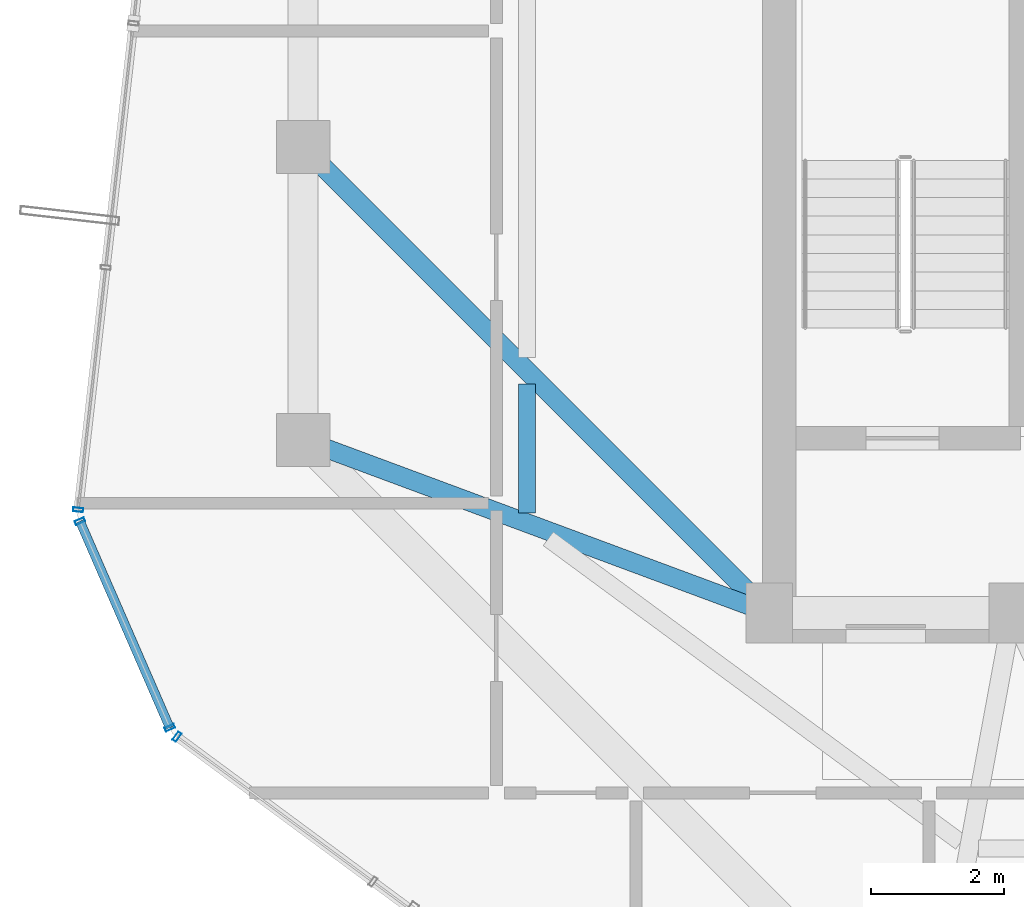
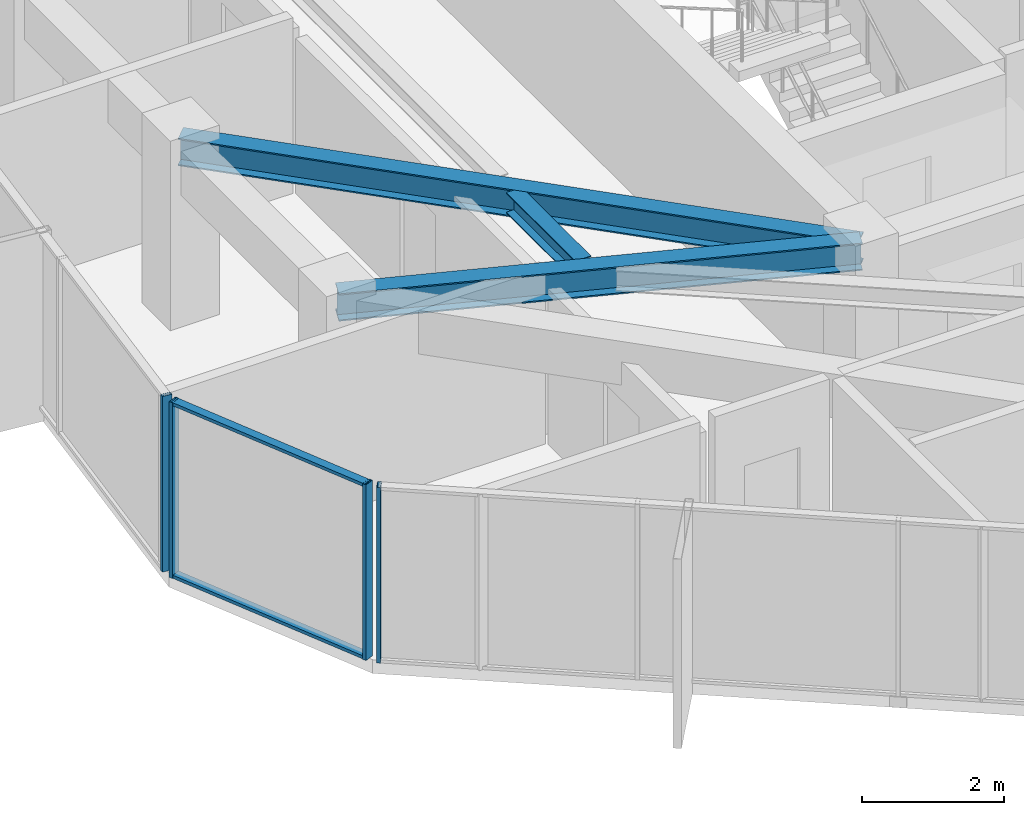
# One storey, part 6 of 30: 6 members, 3 beams, 3 elements without a shape of their own.
"""IFC4 building model written with IfcOpenShell, lengths in metres."""

from ifc_helpers import new_model, si_unit, direction, frame, origin, origin_2d, place, context, subcontext, project, spatial, hollow_rectangle, i_section, extrude, source, transform, mapped, material, layer, layer_set, material_profile, profile_set, type_object, element, aggregate, save


model = new_model("IFC4")

# Units and contexts
model_context = context("Model", 3, precision=1e-05, world=origin(), true_north=direction((0.0, 1.0)))
body_context = subcontext(model_context, "Body", "Model", "MODEL_VIEW")
ifc_project = project(units=[si_unit("LENGTHUNIT", "METRE"), si_unit("AREAUNIT", "SQUARE_METRE"), si_unit("VOLUMEUNIT", "CUBIC_METRE"), si_unit("PLANEANGLEUNIT", "RADIAN"), si_unit("MASSUNIT", "GRAM", prefix="KILO")], contexts=[model_context])

# Site, building, storey
site_placement = place(None, origin())
site = spatial("IfcSite", under=ifc_project, at=site_placement, CompositionType="ELEMENT")
building_placement = place(site_placement, origin())
building = spatial("IfcBuilding", under=site, at=building_placement, Name="Veraguas Prism Commons", CompositionType="ELEMENT")
storey_placement = place(building_placement, frame((0.0, 0.0, 230.050048828125)))
storey = spatial("IfcBuildingStorey", under=building, at=storey_placement, Name="L65", CompositionType="ELEMENT", Elevation=230.050048828125)

# Beams
ifc_material_1 = material(Name="Steel ASTM A992 Grade 50", Category="steel")
ifc_material_profile_1 = material_profile(ifc_material_1, i_section(OverallWidth=0.25390625, OverallDepth=0.35302734375, WebThickness=0.009521484375, FlangeThickness=0.016357421875, at=origin_2d()), Name="W360X91")
ifc_profile_set_1 = profile_set([ifc_material_profile_1], Name="Steel ASTM A992 Grade 50")
beam_type_1 = type_object("IfcBeamType", Name="Upper Floor Joist W360x91", PredefinedType="JOIST", material=ifc_profile_set_1)
beam_1_placement = place(storey_placement, frame((13.56005859375, 20.442626953125, 2.83837890625), z_axis=(0.0, -1.0, 0.0), x_axis=(1.0, 0.0, 0.0)))
element("IfcBeam", 1, at=beam_1_placement, inside=storey, type_object=beam_type_1, Name="Composite Floor Joist L65-JS08", PredefinedType="JOIST", context=body_context, shape_type="SweptSolid", body=[
    extrude(i_section(OverallWidth=0.25390625, OverallDepth=0.35302734375, WebThickness=0.009521484375, FlangeThickness=0.016357421875, at=origin_2d()), origin(), (0.0, 0.0, 1.0), 1.94189453125),
])
ifc_material_profile_2 = material_profile(ifc_material_1, i_section(OverallWidth=0.282958984375, OverallDepth=0.471923828125, WebThickness=0.013671875, FlangeThickness=0.022216796875, at=origin_2d()), Name="W460X144")
ifc_profile_set_2 = profile_set([ifc_material_profile_2], Name="Steel ASTM A992 Grade 50")
beam_type_2 = type_object("IfcBeamType", Name="Zone 4 Radial Girder W460x144", PredefinedType="BEAM", material=ifc_profile_set_2)
beam_2_placement = place(storey_placement, frame((10.199951171875, 24.0, 2.779052734375), z_axis=(0.707106781187, -0.707106781187, 0.0), x_axis=(0.707106781187, 0.707106781187, 0.0)))
element("IfcBeam", 2, at=beam_2_placement, inside=storey, type_object=beam_type_2, Name="Radial Floor Girder L65-RD08", PredefinedType="BEAM", context=body_context, shape_type="SweptSolid", body=[
    extrude(i_section(OverallWidth=0.282958984375, OverallDepth=0.471923828125, WebThickness=0.013671875, FlangeThickness=0.022216796875, at=origin_2d()), origin(), (0.0, 0.0, 1.0), 9.8994140625),
])
beam_3_placement = place(storey_placement, frame((10.199951171875, 19.60009765625, 2.779052734375), z_axis=(0.937421003341, -0.348198021958, 0.0), x_axis=(0.348198021958, 0.937421003341, 0.0)))
element("IfcBeam", 3, at=beam_3_placement, inside=storey, type_object=beam_type_2, Name="Radial Floor Girder L65-RD09", PredefinedType="BEAM", context=body_context, shape_type="SweptSolid", body=[
    extrude(i_section(OverallWidth=0.282958984375, OverallDepth=0.471923828125, WebThickness=0.013671875, FlangeThickness=0.022216796875, at=origin_2d()), origin(), (0.0, 0.0, 1.0), 7.46728515625),
])

# Curtain wall, member
ifc_material_2 = material(Name="Anodised aluminium EN AW-6063 T6", Category="aluminium")
ifc_layer = layer(ifc_material_2, 0.14990234375, Name="Unitised Flush Curtain Wall Zone 4", Category="aluminium")
ifc_layer_set = layer_set([ifc_layer], Name="Anodised aluminium EN AW-6063 T6")
curtain_wall_type = type_object("IfcCurtainWallType", Name="Unitised Flush Curtain Wall Zone 4", PredefinedType="NOTDEFINED", material=ifc_layer_set)
curtain_wall_1_placement = place(storey_placement, origin())
curtain_wall_1 = element("IfcCurtainWall", 4, at=curtain_wall_1_placement, inside=storey, type_object=curtain_wall_type, Name="Tower Facade Curtain Wall L65-F3", PredefinedType="NOTDEFINED")
ifc_material_profile_3 = material_profile(ifc_material_2, hollow_rectangle(XDim=0.06005859375, YDim=0.14990234375, WallThickness=0.0029296875, at=origin_2d()), Name="AL60X150X3")
ifc_profile_set_3 = profile_set([ifc_material_profile_3], Name="Anodised aluminium EN AW-6063 T6")
member_type_1 = type_object("IfcMemberType", Name="Curtain Wall Mullion Upper AL 60x150x3", PredefinedType="MULLION", material=ifc_profile_set_3)
shared_shape_1 = source(origin(), body_context, "Body", "SweptSolid", [
    extrude(hollow_rectangle(XDim=0.06005859375, YDim=0.14990234375, WallThickness=0.0029296875, at=origin_2d()), origin(), (0.0, 0.0, 1.0), 3.014892578125),
])
member_1_placement = place(storey_placement, frame((6.82080078125, 18.55078125, 0.0), z_axis=(0.0, 0.0, 1.0), x_axis=(-0.112858119052, -0.993611113547, 0.0)))
member_1 = element("IfcMember", 5, at=member_1_placement, type_object=member_type_1, Name="CW-Z4 Mullion 5", PredefinedType="MULLION", context=body_context, shape_type="MappedRepresentation", body=[
    mapped(shared_shape_1, transform((0.0, 0.0, 0.0), scale=1.0)),
])
aggregate(curtain_wall_1, [member_1])

curtain_wall_2_placement = place(storey_placement, origin())
curtain_wall_2 = element("IfcCurtainWall", 6, at=curtain_wall_2_placement, inside=storey, type_object=curtain_wall_type, Name="Tower Facade Curtain Wall L65-F4", PredefinedType="NOTDEFINED")
member_2_placement = place(storey_placement, frame((8.3046875, 15.141357421875, 0.0), z_axis=(0.0, 0.0, 1.0), x_axis=(0.804067556966, -0.59453794146, 0.0)))
member_2 = element("IfcMember", 7, at=member_2_placement, type_object=member_type_1, Name="CW-Z4 Mullion 1", PredefinedType="MULLION", context=body_context, shape_type="MappedRepresentation", body=[
    mapped(shared_shape_1, transform((0.0, 0.0, 0.0), scale=1.0)),
])
aggregate(curtain_wall_2, [member_2])

# Curtain wall, members
curtain_wall_3_placement = place(storey_placement, origin())
curtain_wall_3 = element("IfcCurtainWall", 8, at=curtain_wall_3_placement, inside=storey, type_object=curtain_wall_type, Name="Chamfer Curtain Wall L65-C4", PredefinedType="NOTDEFINED")
member_3_placement = place(storey_placement, frame((6.846435546875, 18.37890625, 0.0), z_axis=(0.0, 0.0, 1.0), x_axis=(0.39908356189, -0.916914560158, 0.0)))
member_3 = element("IfcMember", 9, at=member_3_placement, type_object=member_type_1, Name="CW-Z4 Mullion 1", PredefinedType="MULLION", context=body_context, shape_type="MappedRepresentation", body=[
    mapped(shared_shape_1, transform((0.0, 0.0, 0.0), scale=1.0)),
])
member_4_placement = place(storey_placement, frame((8.196533203125, 15.27734375, 0.0), z_axis=(0.0, 0.0, 1.0), x_axis=(0.39908356189, -0.916914560158, 0.0)))
member_4 = element("IfcMember", 10, at=member_4_placement, type_object=member_type_1, Name="CW-Z4 Mullion 2", PredefinedType="MULLION", context=body_context, shape_type="MappedRepresentation", body=[
    mapped(shared_shape_1, transform((0.0, 0.0, 0.0), scale=1.0)),
])
ifc_material_profile_4 = material_profile(ifc_material_2, hollow_rectangle(XDim=0.054931640625, YDim=0.135009765625, WallThickness=0.0029296875, at=origin_2d()), Name="AL55X135X3")
ifc_profile_set_4 = profile_set([ifc_material_profile_4], Name="Anodised aluminium EN AW-6063 T6")
member_type_2 = type_object("IfcMemberType", Name="Curtain Wall Transom Standard AL 55x135x3", PredefinedType="USERDEFINED", material=ifc_profile_set_4)
shared_shape_2 = source(origin(), body_context, "Body", "SweptSolid", [
    extrude(hollow_rectangle(XDim=0.054931640625, YDim=0.135009765625, WallThickness=0.0029296875, at=origin_2d()), origin(), (0.0, 0.0, 1.0), 3.382568359375),
])
member_5_placement = place(storey_placement, frame((6.846435546875, 18.37890625, 0.02734375), z_axis=(0.399121940921, -0.916897854876, 0.0), x_axis=(0.0, 0.0, 1.0)))
member_5 = element("IfcMember", 11, at=member_5_placement, type_object=member_type_2, Name="CW-Z4 Transom 1", ObjectType="TRANSOM", PredefinedType="USERDEFINED", context=body_context, shape_type="MappedRepresentation", body=[
    mapped(shared_shape_2, transform((0.0, 0.0, 0.0), scale=1.0)),
])
member_6_placement = place(storey_placement, frame((6.846435546875, 18.37890625, 2.987548828125), z_axis=(0.399121940921, -0.916897854876, 0.0), x_axis=(0.0, 0.0, 1.0)))
member_6 = element("IfcMember", 12, at=member_6_placement, type_object=member_type_2, Name="CW-Z4 Transom 2", ObjectType="TRANSOM", PredefinedType="USERDEFINED", context=body_context, shape_type="MappedRepresentation", body=[
    mapped(shared_shape_2, transform((0.0, 0.0, 0.0), scale=1.0)),
])
aggregate(curtain_wall_3, [member_3, member_4, member_5, member_6])

save(model, "model.ifc")
